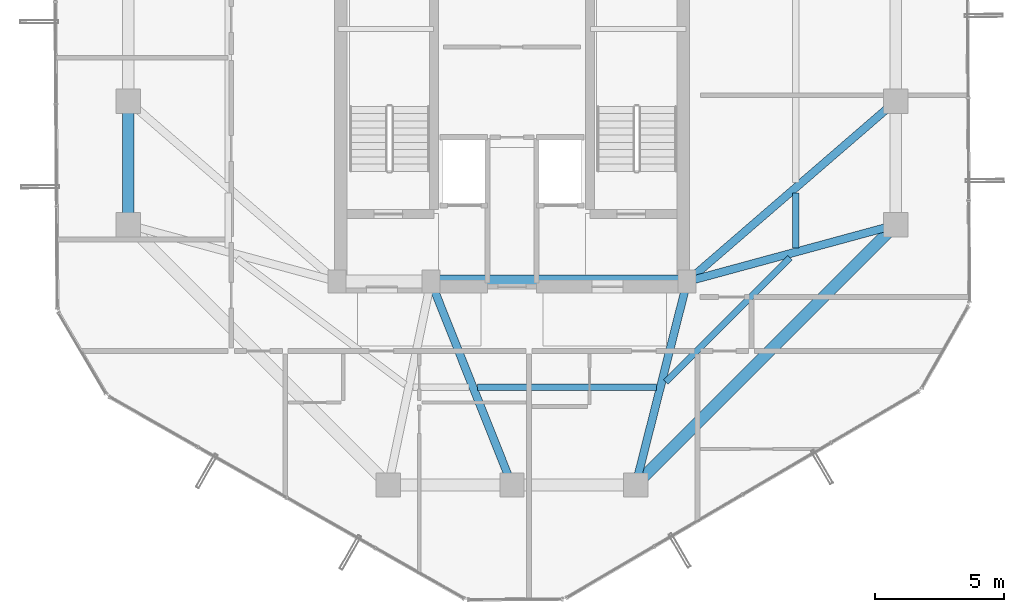
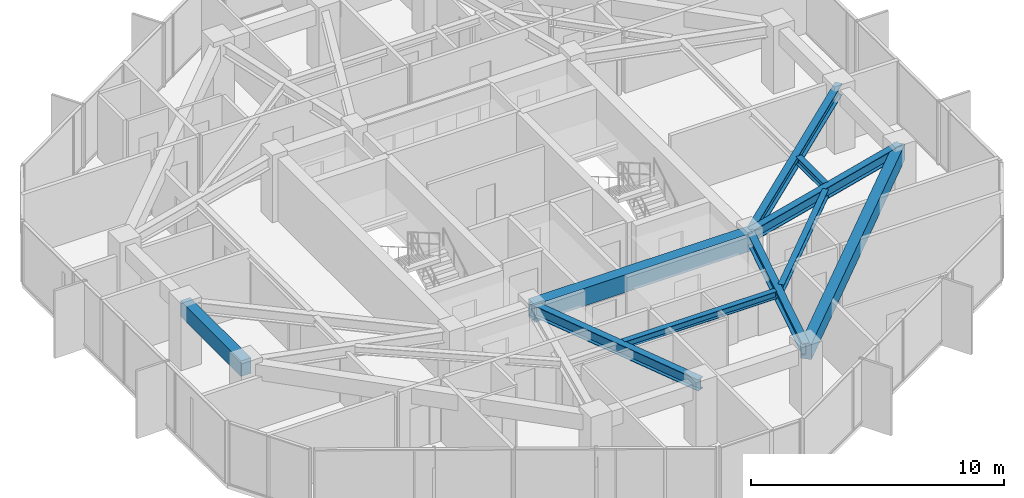
# One storey, part 10 of 31: 10 beams.
"""IFC4 building model written with IfcOpenShell, lengths in metres."""

from ifc_helpers import new_model, si_unit, direction, frame, origin, origin_2d, place, context, subcontext, project, spatial, rectangle, i_section, extrude, material, material_profile, profile_set, type_object, element, save


model = new_model("IFC4")

# Units and contexts
model_context = context("Model", 3, precision=1e-05, world=origin(), true_north=direction((0.0, 1.0)))
body_context = subcontext(model_context, "Body", "Model", "MODEL_VIEW")
ifc_project = project(units=[si_unit("LENGTHUNIT", "METRE"), si_unit("AREAUNIT", "SQUARE_METRE"), si_unit("VOLUMEUNIT", "CUBIC_METRE"), si_unit("PLANEANGLEUNIT", "RADIAN"), si_unit("MASSUNIT", "GRAM", prefix="KILO")], contexts=[model_context])

# Site, building, storey
site_placement = place(None, origin())
site = spatial("IfcSite", under=ifc_project, at=site_placement, CompositionType="ELEMENT")
building_placement = place(site_placement, origin())
building = spatial("IfcBuilding", under=site, at=building_placement, Name="Veraguas Prism Commons", CompositionType="ELEMENT")
storey_placement = place(building_placement, frame((0.0, 0.0, 204.85009765625)))
storey = spatial("IfcBuildingStorey", under=building, at=storey_placement, Name="L58", CompositionType="ELEMENT", Elevation=204.85009765625)

# Beams
ifc_material_1 = material(Name="Concrete C50/60", Category="concrete")
ifc_material_profile_1 = material_profile(ifc_material_1, rectangle(XDim=0.5, YDim=0.85009765625, at=origin_2d()), Name="RC500X850")
ifc_profile_set_1 = profile_set([ifc_material_profile_1], Name="Concrete C50/60")
beam_type_1 = type_object("IfcBeamType", Name="Core Coupling Beam RC 500x850", PredefinedType="BEAM", material=ifc_profile_set_1)
beam_1_placement = place(storey_placement, frame((20.85009765625, 17.0, 2.58984375), z_axis=(1.0, 0.0, 0.0), x_axis=(0.0, 1.0, 0.0)))
element("IfcBeam", 1, at=beam_1_placement, inside=storey, type_object=beam_type_1, Name="Core Coupling Beam L58-CRS2", PredefinedType="BEAM", context=body_context, shape_type="SweptSolid", body=[
    extrude(rectangle(XDim=0.5, YDim=0.85009765625, at=origin_2d()), origin(), (0.0, 0.0, 1.0), 9.949951171875),
])
ifc_material_profile_2 = material_profile(ifc_material_1, rectangle(XDim=0.449951171875, YDim=0.75, at=origin_2d()), Name="RC450X750")
ifc_profile_set_2 = profile_set([ifc_material_profile_2], Name="Concrete C50/60")
beam_type_2 = type_object("IfcBeamType", Name="Perimeter Spandrel Upper RC 450x750", PredefinedType="SPANDREL", material=ifc_profile_set_2)
beam_2_placement = place(storey_placement, frame((9.10009765625, 24.0, 2.639892578125), z_axis=(0.0, -1.0, 0.0), x_axis=(1.0, 0.0, 0.0)))
element("IfcBeam", 2, at=beam_2_placement, inside=storey, type_object=beam_type_2, Name="Perimeter Spandrel Beam L58-SP08", PredefinedType="SPANDREL", context=body_context, shape_type="SweptSolid", body=[
    extrude(rectangle(XDim=0.449951171875, YDim=0.75, at=origin_2d()), origin(), (0.0, 0.0, 1.0), 4.800048828125),
])
beam_3_placement = place(storey_placement, frame((28.800048828125, 9.10009765625, 2.639892578125), z_axis=(0.707106781187, 0.707106781187, 0.0), x_axis=(-0.707106781187, 0.707106781187, 0.0)))
element("IfcBeam", 3, at=beam_3_placement, inside=storey, type_object=beam_type_2, Name="Perimeter Spandrel Beam L58-SP12", PredefinedType="SPANDREL", context=body_context, shape_type="SweptSolid", body=[
    extrude(rectangle(XDim=0.449951171875, YDim=0.75, at=origin_2d()), origin(), (0.0, 0.0, 1.0), 14.283447265625),
])
ifc_material_2 = material(Name="Steel ASTM A992 Grade 50", Category="steel")
ifc_material_profile_3 = material_profile(ifc_material_2, i_section(OverallWidth=0.25390625, OverallDepth=0.35302734375, WebThickness=0.009521484375, FlangeThickness=0.016357421875, at=origin_2d()), Name="W360X91")
ifc_profile_set_3 = profile_set([ifc_material_profile_3], Name="Steel ASTM A992 Grade 50")
beam_type_3 = type_object("IfcBeamType", Name="Upper Floor Joist W360x91", PredefinedType="JOIST", material=ifc_profile_set_3)
beam_4_placement = place(storey_placement, frame((35.011962890625, 18.302978515625, 2.83837890625), z_axis=(0.0, 1.0, 0.0), x_axis=(-1.0, 0.0, 0.0)))
element("IfcBeam", 4, at=beam_4_placement, inside=storey, type_object=beam_type_3, Name="Composite Floor Joist L58-JS01", PredefinedType="JOIST", context=body_context, shape_type="SweptSolid", body=[
    extrude(i_section(OverallWidth=0.25390625, OverallDepth=0.35302734375, WebThickness=0.009521484375, FlangeThickness=0.016357421875, at=origin_2d()), origin(), (0.0, 0.0, 1.0), 2.134033203125),
])
beam_5_placement = place(storey_placement, frame((22.6533203125, 12.89208984375, 2.83837890625), z_axis=(1.0, 0.0, 0.0), x_axis=(0.0, 1.0, 0.0)))
element("IfcBeam", 5, at=beam_5_placement, inside=storey, type_object=beam_type_3, Name="Composite Floor Joist L58-JS11", PredefinedType="JOIST", context=body_context, shape_type="SweptSolid", body=[
    extrude(i_section(OverallWidth=0.25390625, OverallDepth=0.35302734375, WebThickness=0.009521484375, FlangeThickness=0.016357421875, at=origin_2d()), origin(), (0.0, 0.0, 1.0), 6.948486328125),
])
beam_6_placement = place(storey_placement, frame((29.971923828125, 13.10400390625, 2.83837890625), z_axis=(0.707124682851, 0.707088879069, 0.0), x_axis=(-0.707088879069, 0.707124682851, 0.0)))
element("IfcBeam", 6, at=beam_6_placement, inside=storey, type_object=beam_type_3, Name="Composite Floor Joist L58-JS12", PredefinedType="JOIST", context=body_context, shape_type="SweptSolid", body=[
    extrude(i_section(OverallWidth=0.25390625, OverallDepth=0.35302734375, WebThickness=0.009521484375, FlangeThickness=0.016357421875, at=origin_2d()), origin(), (0.0, 0.0, 1.0), 6.81884765625),
])
ifc_material_profile_4 = material_profile(ifc_material_2, i_section(OverallWidth=0.31103515625, OverallDepth=0.5458984375, WebThickness=0.0146484375, FlangeThickness=0.023681640625, at=origin_2d()), Name="W530X165")
ifc_profile_set_4 = profile_set([ifc_material_profile_4], Name="Steel ASTM A992 Grade 50")
beam_type_4 = type_object("IfcBeamType", Name="Zone 3 Radial Girder W530x165", PredefinedType="BEAM", material=ifc_profile_set_4)
beam_7_placement = place(storey_placement, frame((38.89990234375, 19.199951171875, 2.741943359375), z_axis=(-0.965038506703, -0.262108146725, 0.0), x_axis=(0.262108146725, -0.965038506703, 0.0)))
element("IfcBeam", 7, at=beam_7_placement, inside=storey, type_object=beam_type_4, Name="Radial Floor Girder L58-RD01", PredefinedType="BEAM", context=body_context, shape_type="SweptSolid", body=[
    extrude(i_section(OverallWidth=0.31103515625, OverallDepth=0.5458984375, WebThickness=0.0146484375, FlangeThickness=0.023681640625, at=origin_2d()), origin(), (0.0, 0.0, 1.0), 8.393310546875),
])
beam_8_placement = place(storey_placement, frame((38.89990234375, 24.0, 2.741943359375), z_axis=(-0.756607086554, -0.653869800936, 0.0), x_axis=(0.653869800936, -0.756607086554, 0.0)))
element("IfcBeam", 8, at=beam_8_placement, inside=storey, type_object=beam_type_4, Name="Radial Floor Girder L58-RD02", PredefinedType="BEAM", context=body_context, shape_type="SweptSolid", body=[
    extrude(i_section(OverallWidth=0.31103515625, OverallDepth=0.5458984375, WebThickness=0.0146484375, FlangeThickness=0.023681640625, at=origin_2d()), origin(), (0.0, 0.0, 1.0), 10.70556640625),
])
beam_9_placement = place(storey_placement, frame((24.0, 9.10009765625, 2.741943359375), z_axis=(-0.370370877803, 0.928883960931, 0.0), x_axis=(-0.928883960931, -0.370370877803, 0.0)))
element("IfcBeam", 9, at=beam_9_placement, inside=storey, type_object=beam_type_4, Name="Radial Floor Girder L58-RD11", PredefinedType="BEAM", context=body_context, shape_type="SweptSolid", body=[
    extrude(i_section(OverallWidth=0.31103515625, OverallDepth=0.5458984375, WebThickness=0.0146484375, FlangeThickness=0.023681640625, at=origin_2d()), origin(), (0.0, 0.0, 1.0), 8.504638671875),
])
beam_10_placement = place(storey_placement, frame((28.800048828125, 9.10009765625, 2.741943359375), z_axis=(0.245424718066, 0.969415652732, 0.0), x_axis=(-0.969415652732, 0.245424718066, 0.0)))
element("IfcBeam", 10, at=beam_10_placement, inside=storey, type_object=beam_type_4, Name="Radial Floor Girder L58-RD12", PredefinedType="BEAM", context=body_context, shape_type="SweptSolid", body=[
    extrude(i_section(OverallWidth=0.31103515625, OverallDepth=0.5458984375, WebThickness=0.0146484375, FlangeThickness=0.023681640625, at=origin_2d()), origin(), (0.0, 0.0, 1.0), 8.149169921875),
])

save(model, "model.ifc")
